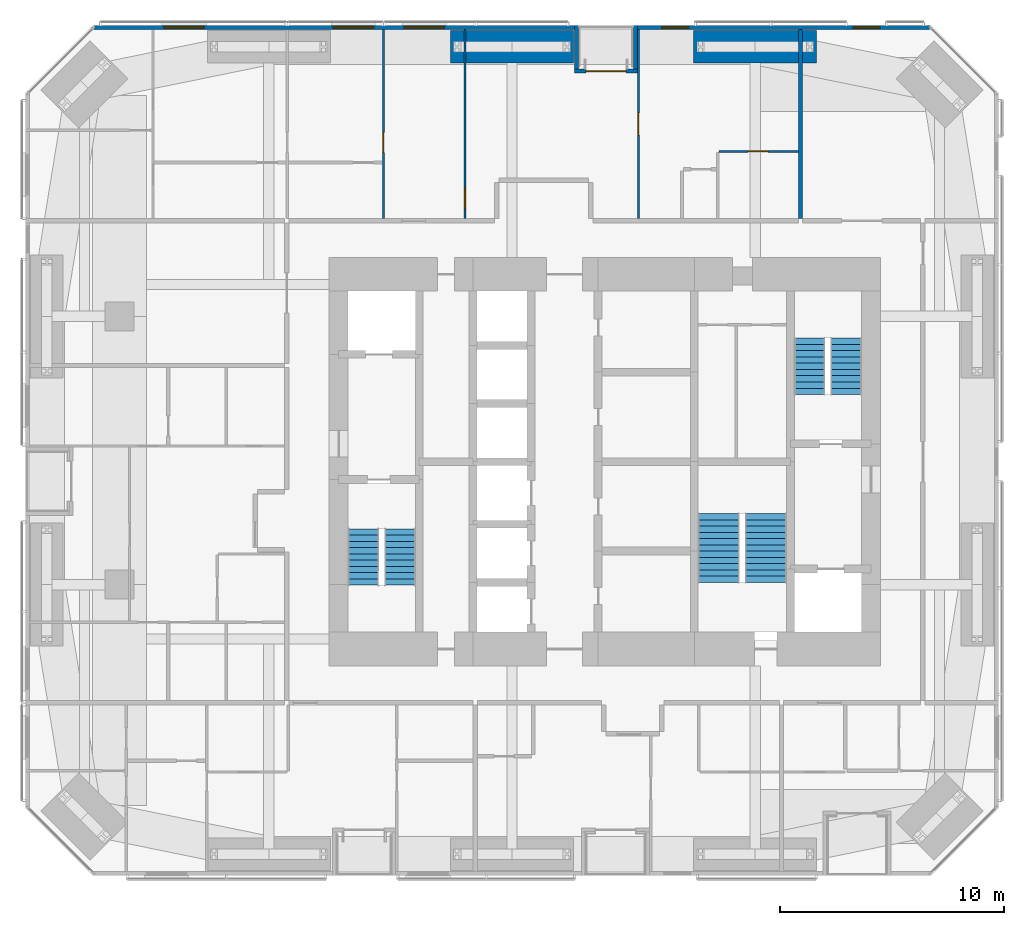
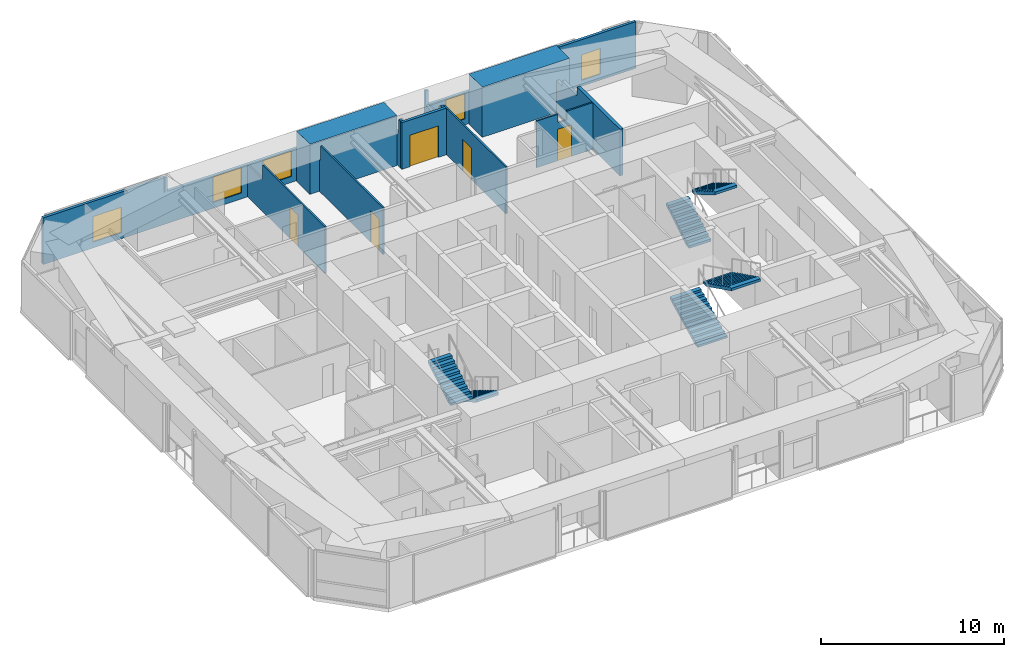
# One storey, part 22 of 23: 12 walls, 6 stair flights, 5 doors, 5 windows, 10 openings, 3 elements without a shape of their own.
"""IFC4 building model written with IfcOpenShell, lengths in metres."""

from ifc_helpers import new_model, si_unit, direction, frame, frame_2d, origin, place, context, subcontext, project, spatial, polyline, rectangle, outline, extrude, material, layer, layer_set, constituent, constituent_set, type_object, element, fill, aggregate, save


model = new_model("IFC4")

# Units and contexts
model_context = context("Model", 3, precision=1e-05, world=origin(), true_north=direction((0.0, 1.0)))
body_context = subcontext(model_context, "Body", "Model", "MODEL_VIEW")
ifc_project = project(units=[si_unit("LENGTHUNIT", "METRE"), si_unit("AREAUNIT", "SQUARE_METRE"), si_unit("VOLUMEUNIT", "CUBIC_METRE"), si_unit("PLANEANGLEUNIT", "RADIAN"), si_unit("MASSUNIT", "GRAM", prefix="KILO")], contexts=[model_context])

# Site, building, storey
site_placement = place(None, origin())
site = spatial("IfcSite", under=ifc_project, at=site_placement, CompositionType="ELEMENT")
building_placement = place(site_placement, origin())
building = spatial("IfcBuilding", under=site, at=building_placement, Name="Jalousie Tower", CompositionType="ELEMENT")
storey_placement = place(building_placement, frame((0.0, 0.0, 104.85009765625)))
storey = spatial("IfcBuildingStorey", under=building, at=storey_placement, Name="L28", CompositionType="ELEMENT", Elevation=104.85009765625)

# Wall, openings, windows
ifc_material_1 = material(Name="Concrete f'c 40 MPa", Category="concrete")
ifc_constituent_1 = constituent(ifc_material_1, Name="Body")
ifc_material_2 = material(Name="Render, pastel sea green")
ifc_constituent_2 = constituent(ifc_material_2, Name="Finish")
ifc_constituent_set_1 = constituent_set(constituents=[ifc_constituent_1, ifc_constituent_2])
wall_type_1 = type_object("IfcWallType", Name="EXTERNAL WALL 175 SEA GREEN RENDER", PredefinedType="SOLIDWALL", material=ifc_constituent_set_1)
wall_1_placement = place(storey_placement, frame((46.44873046875, 37.91259765625, 0.0), z_axis=(0.0, 0.0, 1.0), x_axis=(-1.0, 0.0, 0.0)))
wall_1 = element("IfcWall", 1, at=wall_1_placement, inside=storey, type_object=wall_type_1, Name="External Wall 175 Sea Green Render L28", PredefinedType="SOLIDWALL", context=body_context, shape_type="SweptSolid", body=[
    extrude(outline(polyline([(0.0, 0.0), (13.09814453125, 0.0), (13.09814453125, 2.14990234375), (7.82373046875, 2.14990234375), (7.82373046875, 3.10986328125), (7.66552734375, 3.10986328125), (7.66552734375, 2.14990234375), (7.620361328125, 2.14990234375), (7.620361328125, 3.10986328125), (0.0, 3.10986328125), (0.0, 0.0)])), frame((0.0, 0.08740234375, 0.0), z_axis=(0.0, -1.0, 0.0), x_axis=(1.0, 0.0, 0.0)), (0.0, 0.0, 1.0), 0.175048828125),
])
opening_1_placement = place(wall_1_placement, frame((2.24951171875, 0.0, 0.39990234375)))
opening_1 = element("IfcOpeningElement", 2, at=opening_1_placement, cuts=wall_1, Name="Opening W-COR170", PredefinedType="OPENING", context=body_context, shape_type="SweptSolid", body=[
    extrude(rectangle(XDim=1.199951171875, YDim=1.699951171875, at=frame_2d((0.60009765625, 0.85009765625))), frame((0.0, 0.097412109375, 0.0), z_axis=(0.0, -1.0, 0.0), x_axis=(1.0, 0.0, 0.0)), (0.0, 0.0, 1.0), 0.195068359375),
])
opening_2_placement = place(wall_1_placement, frame((10.798095703125, 0.0, 0.39990234375)))
opening_2 = element("IfcOpeningElement", 3, at=opening_2_placement, cuts=wall_1, Name="Opening W-COR170", PredefinedType="OPENING", context=body_context, shape_type="SweptSolid", body=[
    extrude(rectangle(XDim=1.199951171875, YDim=1.699951171875, at=frame_2d((0.60009765625, 0.85009765625))), frame((0.0, 0.097412109375, 0.0), z_axis=(0.0, -1.0, 0.0), x_axis=(1.0, 0.0, 0.0)), (0.0, 0.0, 1.0), 0.195068359375),
])
ifc_material_3 = material(Name="Aluminium frame, impact-rated glazing", Category="aluminium")
window_type_1 = type_object("IfcWindowType", Name="WINDOW COR 1200x1700", PartitioningType="SINGLE_PANEL", PredefinedType="WINDOW", material=ifc_material_3)
window_1_placement = place(opening_1_placement, origin())
window_1 = element("IfcWindow", 4, at=window_1_placement, inside=storey, type_object=window_type_1, Name="Residents' games room window", OverallHeight=1.699951171875, OverallWidth=1.199951171875, PartitioningType="SINGLE_PANEL", PredefinedType="WINDOW", context=body_context, shape_type="SweptSolid", body=[
    extrude(rectangle(XDim=1.199951171875, YDim=1.699951171875, at=frame_2d((0.60009765625, 0.85009765625))), frame((0.0, 0.030029296875, 0.0), z_axis=(0.0, -1.0, 0.0), x_axis=(1.0, 0.0, 0.0)), (0.0, 0.0, 1.0), 0.06005859375),
])
fill(opening_1, window_1)
window_2_placement = place(opening_2_placement, origin())
window_2 = element("IfcWindow", 5, at=window_2_placement, inside=storey, type_object=window_type_1, Name="Apartment 2804 dining room window", OverallHeight=1.699951171875, OverallWidth=1.199951171875, PartitioningType="SINGLE_PANEL", PredefinedType="WINDOW", context=body_context, shape_type="SweptSolid", body=[
    extrude(rectangle(XDim=1.199951171875, YDim=1.699951171875, at=frame_2d((0.60009765625, 0.85009765625))), frame((0.0, 0.030029296875, 0.0), z_axis=(0.0, -1.0, 0.0), x_axis=(1.0, 0.0, 0.0)), (0.0, 0.0, 1.0), 0.06005859375),
])
fill(opening_2, window_2)

wall_2_placement = place(storey_placement, frame((30.550537109375, 37.91259765625, 0.0), z_axis=(0.0, 0.0, 1.0), x_axis=(-1.0, 0.0, 0.0)))
wall_2 = element("IfcWall", 6, at=wall_2_placement, inside=storey, type_object=wall_type_1, Name="External Wall 175 Sea Green Render L28", PredefinedType="SOLIDWALL", context=body_context, shape_type="SweptSolid", body=[
    extrude(outline(polyline([(0.0, 0.0), (21.499267578125, 0.0), (21.499267578125, 3.10986328125), (13.87890625, 3.10986328125), (13.87890625, 2.14990234375), (13.833740234375, 2.14990234375), (13.833740234375, 3.10986328125), (13.675537109375, 3.10986328125), (13.675537109375, 2.14990234375), (0.0, 2.14990234375), (0.0, 0.0)])), frame((0.0, 0.08740234375, 0.0), z_axis=(0.0, -1.0, 0.0), x_axis=(1.0, 0.0, 0.0)), (0.0, 0.0, 1.0), 0.175048828125),
])
opening_3_placement = place(wall_2_placement, frame((5.82568359375, 0.0, 0.39990234375)))
opening_3 = element("IfcOpeningElement", 7, at=opening_3_placement, cuts=wall_2, Name="Opening W-BED170", PredefinedType="OPENING", context=body_context, shape_type="SweptSolid", body=[
    extrude(rectangle(XDim=1.800048828125, YDim=1.699951171875, at=frame_2d((0.89990234375, 0.85009765625))), frame((0.0, 0.097412109375, 0.0), z_axis=(0.0, -1.0, 0.0), x_axis=(1.0, 0.0, 0.0)), (0.0, 0.0, 1.0), 0.195068359375),
])
opening_4_placement = place(wall_2_placement, frame((8.9931640625, 0.0, 0.39990234375)))
opening_4 = element("IfcOpeningElement", 8, at=opening_4_placement, cuts=wall_2, Name="Opening W-BED170", PredefinedType="OPENING", context=body_context, shape_type="SweptSolid", body=[
    extrude(rectangle(XDim=1.800048828125, YDim=1.699951171875, at=frame_2d((0.89990234375, 0.85009765625))), frame((0.0, 0.097412109375, 0.0), z_axis=(0.0, -1.0, 0.0), x_axis=(1.0, 0.0, 0.0)), (0.0, 0.0, 1.0), 0.195068359375),
])
opening_5_placement = place(wall_2_placement, frame((16.565673828125, 0.0, 0.39990234375)))
opening_5 = element("IfcOpeningElement", 9, at=opening_5_placement, cuts=wall_2, Name="Opening W-BED170", PredefinedType="OPENING", context=body_context, shape_type="SweptSolid", body=[
    extrude(rectangle(XDim=1.800048828125, YDim=1.699951171875, at=frame_2d((0.89990234375, 0.85009765625))), frame((0.0, 0.097412109375, 0.0), z_axis=(0.0, -1.0, 0.0), x_axis=(1.0, 0.0, 0.0)), (0.0, 0.0, 1.0), 0.195068359375),
])
ifc_material_4 = material(Name="Aluminium frame, impact-rated glazing", Category="aluminium")
window_type_2 = type_object("IfcWindowType", Name="WINDOW BED 1800x1700", PartitioningType="SINGLE_PANEL", PredefinedType="WINDOW", material=ifc_material_4)
window_3_placement = place(opening_3_placement, origin())
window_3 = element("IfcWindow", 10, at=window_3_placement, inside=storey, type_object=window_type_2, Name="Apartment 2804 study window", OverallHeight=1.699951171875, OverallWidth=1.800048828125, PartitioningType="SINGLE_PANEL", PredefinedType="WINDOW", context=body_context, shape_type="SweptSolid", body=[
    extrude(rectangle(XDim=1.800048828125, YDim=1.699951171875, at=frame_2d((0.89990234375, 0.85009765625))), frame((0.0, 0.030029296875, 0.0), z_axis=(0.0, -1.0, 0.0), x_axis=(1.0, 0.0, 0.0)), (0.0, 0.0, 1.0), 0.06005859375),
])
fill(opening_3, window_3)
window_4_placement = place(opening_4_placement, origin())
window_4 = element("IfcWindow", 11, at=window_4_placement, inside=storey, type_object=window_type_2, Name="Apartment 2804 bedroom 3 window", OverallHeight=1.699951171875, OverallWidth=1.800048828125, PartitioningType="SINGLE_PANEL", PredefinedType="WINDOW", context=body_context, shape_type="SweptSolid", body=[
    extrude(rectangle(XDim=1.800048828125, YDim=1.699951171875, at=frame_2d((0.89990234375, 0.85009765625))), frame((0.0, 0.030029296875, 0.0), z_axis=(0.0, -1.0, 0.0), x_axis=(1.0, 0.0, 0.0)), (0.0, 0.0, 1.0), 0.06005859375),
])
fill(opening_4, window_4)
window_5_placement = place(opening_5_placement, origin())
window_5 = element("IfcWindow", 12, at=window_5_placement, inside=storey, type_object=window_type_2, Name="Apartment 2804 bedroom 2 window", OverallHeight=1.699951171875, OverallWidth=1.800048828125, PartitioningType="SINGLE_PANEL", PredefinedType="WINDOW", context=body_context, shape_type="SweptSolid", body=[
    extrude(rectangle(XDim=1.800048828125, YDim=1.699951171875, at=frame_2d((0.89990234375, 0.85009765625))), frame((0.0, 0.030029296875, 0.0), z_axis=(0.0, -1.0, 0.0), x_axis=(1.0, 0.0, 0.0)), (0.0, 0.0, 1.0), 0.06005859375),
])
fill(opening_5, window_5)

# Wall, opening, door
wall_3_placement = place(storey_placement, frame((33.3505859375, 35.96240234375, 0.0), z_axis=(0.0, 0.0, 1.0), x_axis=(-1.0, 0.0, 0.0)))
wall_3 = element("IfcWall", 13, at=wall_3_placement, inside=storey, type_object=wall_type_1, Name="External Wall 175 Sea Green Render L28", PredefinedType="SOLIDWALL", context=body_context, shape_type="SweptSolid", body=[
    extrude(rectangle(XDim=2.800048828125, YDim=0.175048828125, at=frame_2d((1.39990234375, 0.0))), origin(), (0.0, 0.0, 1.0), 3.10986328125),
])
opening_6_placement = place(wall_3_placement, frame((0.5, 0.0, 0.0)))
opening_6 = element("IfcOpeningElement", 14, at=opening_6_placement, cuts=wall_3, Name="Opening D-BAL21", PredefinedType="OPENING", context=body_context, shape_type="SweptSolid", body=[
    extrude(rectangle(XDim=1.800048828125, YDim=2.10009765625, at=frame_2d((0.89990234375, 1.050048828125))), frame((0.0, 0.097412109375, 0.0), z_axis=(0.0, -1.0, 0.0), x_axis=(1.0, 0.0, 0.0)), (0.0, 0.0, 1.0), 0.195068359375),
])
ifc_material_5 = material(Name="Aluminium frame, impact-rated glazing", Category="aluminium")
door_type_1 = type_object("IfcDoorType", Name="BALCONY DOOR 1800x2100", OperationType="SLIDING_TO_LEFT", PredefinedType="DOOR", material=ifc_material_5)
door_1_placement = place(opening_6_placement, origin())
door_1 = element("IfcDoor", 15, at=door_1_placement, inside=storey, type_object=door_type_1, Name="Apartment 2804 living room loggia door", OperationType="SLIDING_TO_LEFT", OverallHeight=2.10009765625, OverallWidth=1.800048828125, PredefinedType="DOOR", context=body_context, shape_type="SweptSolid", body=[
    extrude(rectangle(XDim=1.800048828125, YDim=2.10009765625, at=frame_2d((0.89990234375, 1.050048828125))), frame((0.0, 0.02490234375, 0.0), z_axis=(0.0, -1.0, 0.0), x_axis=(1.0, 0.0, 0.0)), (0.0, 0.0, 1.0), 0.050048828125),
])
fill(opening_6, door_1)

# Walls
for number, where, z_axis, x_axis, name in (
    (16, (33.26318359375, 38.0, 0.0), (0.0, 0.0, 1.0), (0.0, -1.0, 0.0), "External Wall 175 Sea Green Render L28"),
    (17, (30.63818359375, 38.0, 0.0), (0.0, 0.0, 1.0), (0.0, -1.0, 0.0), "External Wall 175 Sea Green Render L28"),
):
    element("IfcWall", number, at=place(storey_placement, frame(where, z_axis=z_axis, x_axis=x_axis)), inside=storey, type_object=wall_type_1, Name=name, PredefinedType="SOLIDWALL", context=body_context, shape_type="SweptSolid", body=[
        extrude(outline(polyline([(0.0, 0.0), (1.949951171875, 0.0), (1.949951171875, 3.10986328125), (1.75, 3.10986328125), (1.75, 2.14990234375), (0.14990234375, 2.14990234375), (0.14990234375, 3.10986328125), (0.0, 3.10986328125), (0.0, 0.0)])), frame((0.0, 0.08740234375, 0.0), z_axis=(0.0, -1.0, 0.0), x_axis=(1.0, 0.0, 0.0)), (0.0, 0.0, 1.0), 0.175048828125),
    ])

# Wall, opening, door
ifc_material_6 = material(Name="Gypsum board", Category="gypsum")
ifc_constituent_3 = constituent(ifc_material_6, Name="Body")
ifc_material_7 = material(Name="Light-gauge steel studs ASTM A653 SS Grade 33", Category="steel")
ifc_constituent_4 = constituent(ifc_material_7, Name="Framing")
ifc_constituent_set_2 = constituent_set(constituents=[ifc_constituent_3, ifc_constituent_4])
wall_type_2 = type_object("IfcWallType", Name="PARTITION 100", PredefinedType="PARTITIONING", material=ifc_constituent_set_2)
wall_4_placement = place(storey_placement, frame((22.0, 37.824951171875, 0.0), z_axis=(0.0, 0.0, 1.0), x_axis=(0.0, -1.0, 0.0)))
wall_4 = element("IfcWall", 18, at=wall_4_placement, inside=storey, type_object=wall_type_2, Name="Partition 100 L28", PredefinedType="PARTITIONING", context=body_context, shape_type="SweptSolid", body=[
    extrude(outline(polyline([(0.0, 0.0), (8.449951171875, 0.0), (8.449951171875, 3.10986328125), (1.635009765625, 3.10986328125), (1.635009765625, 2.14990234375), (0.0, 2.14990234375), (0.0, 3.10986328125), (0.0, 0.0)])), frame((0.0, 0.050048828125, 0.0), z_axis=(0.0, -1.0, 0.0), x_axis=(1.0, 0.0, 0.0)), (0.0, 0.0, 1.0), 0.10009765625),
])
opening_7_placement = place(wall_4_placement, frame((4.60009765625, 0.0, 0.0)))
opening_7 = element("IfcOpeningElement", 19, at=opening_7_placement, cuts=wall_4, Name="Opening D2", PredefinedType="OPENING", context=body_context, shape_type="SweptSolid", body=[
    extrude(rectangle(XDim=0.89990234375, YDim=2.10009765625, at=frame_2d((0.449951171875, 1.050048828125))), frame((0.0, 0.06005859375, 0.0), z_axis=(0.0, -1.0, 0.0), x_axis=(1.0, 0.0, 0.0)), (0.0, 0.0, 1.0), 0.1201171875),
])
ifc_material_8 = material(Name="Timber door", Category="wood")
door_type_2 = type_object("IfcDoorType", Name="BEDROOM DOOR 900", OperationType="SINGLE_SWING_LEFT", PredefinedType="DOOR", material=ifc_material_8)
door_2_placement = place(opening_7_placement, frame((0.89990234375, 0.0, 0.0), z_axis=(0.0, 0.0, 1.0), x_axis=(-1.0, 0.0, 0.0)))
door_2 = element("IfcDoor", 20, at=door_2_placement, inside=storey, type_object=door_type_2, Name="Apartment 2804 bedroom 3 door", OperationType="SINGLE_SWING_LEFT", OverallHeight=2.10009765625, OverallWidth=0.89990234375, PredefinedType="DOOR", context=body_context, shape_type="SweptSolid", body=[
    extrude(rectangle(XDim=0.89990234375, YDim=2.10009765625, at=frame_2d((0.449951171875, 1.050048828125))), frame((0.0, 0.02490234375, 0.0), z_axis=(0.0, -1.0, 0.0), x_axis=(1.0, 0.0, 0.0)), (0.0, 0.0, 1.0), 0.050048828125),
])
fill(opening_7, door_2)

wall_5_placement = place(storey_placement, frame((25.64990234375, 37.824951171875, 0.0), z_axis=(0.0, 0.0, 1.0), x_axis=(0.0, -1.0, 0.0)))
wall_5 = element("IfcWall", 21, at=wall_5_placement, inside=storey, type_object=wall_type_2, Name="Partition 100 L28", PredefinedType="PARTITIONING", context=body_context, shape_type="SweptSolid", body=[
    extrude(outline(polyline([(0.52880859375, 2.14990234375), (0.0, 2.14990234375), (0.0, 0.0), (0.52880859375, 0.0), (0.52880859375, 0.0341796875), (1.021240234375, 0.0341796875), (1.021240234375, 0.0), (8.449951171875, 0.0), (8.449951171875, 3.10986328125), (1.635009765625, 3.10986328125), (1.635009765625, 2.14990234375), (1.021240234375, 2.14990234375), (1.021240234375, 2.11572265625), (0.52880859375, 2.11572265625), (0.52880859375, 2.14990234375)])), frame((0.0, 0.050048828125, 0.0), z_axis=(0.0, -1.0, 0.0), x_axis=(1.0, 0.0, 0.0)), (0.0, 0.0, 1.0), 0.10009765625),
])
opening_8_placement = place(wall_5_placement, frame((7.10009765625, 0.0, 0.0)))
opening_8 = element("IfcOpeningElement", 22, at=opening_8_placement, cuts=wall_5, Name="Opening D2", PredefinedType="OPENING", context=body_context, shape_type="SweptSolid", body=[
    extrude(rectangle(XDim=0.89990234375, YDim=2.10009765625, at=frame_2d((0.449951171875, 1.050048828125))), frame((0.0, 0.06005859375, 0.0), z_axis=(0.0, -1.0, 0.0), x_axis=(1.0, 0.0, 0.0)), (0.0, 0.0, 1.0), 0.1201171875),
])
door_3_placement = place(opening_8_placement, frame((0.89990234375, 0.0, 0.0), z_axis=(0.0, 0.0, 1.0), x_axis=(-1.0, 0.0, 0.0)))
door_3 = element("IfcDoor", 23, at=door_3_placement, inside=storey, type_object=door_type_2, Name="Apartment 2804 study door", OperationType="SINGLE_SWING_LEFT", OverallHeight=2.10009765625, OverallWidth=0.89990234375, PredefinedType="DOOR", context=body_context, shape_type="SweptSolid", body=[
    extrude(rectangle(XDim=0.89990234375, YDim=2.10009765625, at=frame_2d((0.449951171875, 1.050048828125))), frame((0.0, 0.02490234375, 0.0), z_axis=(0.0, -1.0, 0.0), x_axis=(1.0, 0.0, 0.0)), (0.0, 0.0, 1.0), 0.050048828125),
])
fill(opening_8, door_3)

wall_6_placement = place(storey_placement, frame((37.0, 32.375, 0.0), z_axis=(0.0, 0.0, 1.0), x_axis=(1.0, 0.0, 0.0)))
wall_6 = element("IfcWall", 24, at=wall_6_placement, inside=storey, type_object=wall_type_2, Name="Partition 100 L28", PredefinedType="PARTITIONING", context=body_context, shape_type="SweptSolid", body=[
    extrude(outline(polyline([(0.0, 0.0), (3.550048828125, 0.0), (3.550048828125, 3.10986328125), (1.912353515625, 3.10986328125), (1.912353515625, 2.541015625), (1.337646484375, 2.541015625), (1.337646484375, 3.10986328125), (0.0, 3.10986328125), (0.0, 0.0)])), frame((0.0, 0.050048828125, 0.0), z_axis=(0.0, -1.0, 0.0), x_axis=(1.0, 0.0, 0.0)), (0.0, 0.0, 1.0), 0.10009765625),
])
opening_9_placement = place(wall_6_placement, frame((1.300048828125, 0.0, 0.0)))
opening_9 = element("IfcOpeningElement", 25, at=opening_9_placement, cuts=wall_6, Name="Opening D7", PredefinedType="OPENING", context=body_context, shape_type="SweptSolid", body=[
    extrude(rectangle(XDim=0.89990234375, YDim=2.10009765625, at=frame_2d((0.449951171875, 1.050048828125))), frame((0.0, 0.06005859375, 0.0), z_axis=(0.0, -1.0, 0.0), x_axis=(1.0, 0.0, 0.0)), (0.0, 0.0, 1.0), 0.1201171875),
])
ifc_material_9 = material(Name="Timber door", Category="wood")
door_type_3 = type_object("IfcDoorType", Name="INTERNAL DOOR 900", OperationType="SINGLE_SWING_LEFT", PredefinedType="DOOR", material=ifc_material_9)
door_4_placement = place(opening_9_placement, origin())
door_4 = element("IfcDoor", 26, at=door_4_placement, inside=storey, type_object=door_type_3, Name="Apartment 2804 kitchen door", OperationType="SINGLE_SWING_RIGHT", OverallHeight=2.10009765625, OverallWidth=0.89990234375, PredefinedType="DOOR", context=body_context, shape_type="SweptSolid", body=[
    extrude(rectangle(XDim=0.89990234375, YDim=2.10009765625, at=frame_2d((0.449951171875, 1.050048828125))), frame((0.0, 0.02490234375, 0.0), z_axis=(0.0, -1.0, 0.0), x_axis=(1.0, 0.0, 0.0)), (0.0, 0.0, 1.0), 0.050048828125),
])
fill(opening_9, door_4)

wall_7_placement = place(storey_placement, frame((33.400634765625, 37.824951171875, 0.0), z_axis=(0.0, 0.0, 1.0), x_axis=(0.0, -1.0, 0.0)))
wall_7 = element("IfcWall", 27, at=wall_7_placement, inside=storey, type_object=wall_type_2, Name="Partition 100 L28", PredefinedType="PARTITIONING", context=body_context, shape_type="SweptSolid", body=[
    extrude(outline(polyline([(0.0, 0.0), (8.449951171875, 0.0), (8.449951171875, 3.10986328125), (1.635009765625, 3.10986328125), (1.635009765625, 2.14990234375), (0.0, 2.14990234375), (0.0, 3.10986328125), (0.0, 0.0)])), frame((0.0, 0.050048828125, 0.0), z_axis=(0.0, -1.0, 0.0), x_axis=(1.0, 0.0, 0.0)), (0.0, 0.0, 1.0), 0.10009765625),
])
opening_10_placement = place(wall_7_placement, frame((3.72509765625, 0.0, 0.0)))
opening_10 = element("IfcOpeningElement", 28, at=opening_10_placement, cuts=wall_7, Name="Opening D6", PredefinedType="OPENING", context=body_context, shape_type="SweptSolid", body=[
    extrude(rectangle(XDim=1.0, YDim=2.10009765625, at=frame_2d((0.5, 1.050048828125))), frame((0.0, 0.06005859375, 0.0), z_axis=(0.0, -1.0, 0.0), x_axis=(1.0, 0.0, 0.0)), (0.0, 0.0, 1.0), 0.1201171875),
])
ifc_material_10 = material(Name="Timber door", Category="wood")
door_type_4 = type_object("IfcDoorType", Name="INTERNAL DOOR 1000", OperationType="SINGLE_SWING_LEFT", PredefinedType="DOOR", material=ifc_material_10)
door_5_placement = place(opening_10_placement, origin())
door_5 = element("IfcDoor", 29, at=door_5_placement, inside=storey, type_object=door_type_4, Name="Apartment 2804 dining room door", OperationType="SINGLE_SWING_LEFT", OverallHeight=2.10009765625, OverallWidth=1.0, PredefinedType="DOOR", context=body_context, shape_type="SweptSolid", body=[
    extrude(rectangle(XDim=1.0, YDim=2.10009765625, at=frame_2d((0.5, 1.050048828125))), frame((0.0, 0.02490234375, 0.0), z_axis=(0.0, -1.0, 0.0), x_axis=(1.0, 0.0, 0.0)), (0.0, 0.0, 1.0), 0.050048828125),
])
fill(opening_10, door_5)

# Walls
ifc_material_11 = material(Name="Concrete block ASTM C90", Category="concrete")
ifc_constituent_5 = constituent(ifc_material_11, Name="Body")
ifc_material_12 = material(Name="Render")
ifc_constituent_6 = constituent(ifc_material_12, Name="Finish")
ifc_constituent_set_3 = constituent_set(constituents=[ifc_constituent_5, ifc_constituent_6])
wall_type_3 = type_object("IfcWallType", Name="PARTY WALL 200", PredefinedType="PARTITIONING", material=ifc_constituent_set_3)
wall_8_placement = place(storey_placement, frame((40.64990234375, 37.824951171875, 0.0), z_axis=(0.0, 0.0, 1.0), x_axis=(0.0, -1.0, 0.0)))
element("IfcWall", 30, at=wall_8_placement, inside=storey, type_object=wall_type_3, Name="Party Wall 200 L28", PredefinedType="PARTITIONING", context=body_context, shape_type="SweptSolid", body=[
    extrude(outline(polyline([(0.25927734375, 3.10986328125), (0.0, 3.10986328125), (0.0, 0.0), (0.52880859375, 0.0), (0.52880859375, 0.11962890625), (1.021240234375, 0.11962890625), (1.021240234375, 0.0), (8.449951171875, 0.0), (8.449951171875, 3.10986328125), (3.766357421875, 3.10986328125), (3.766357421875, 2.510009765625), (2.11669921875, 2.510009765625), (2.11669921875, 2.14990234375), (1.021240234375, 2.14990234375), (1.021240234375, 2.0302734375), (0.52880859375, 2.0302734375), (0.52880859375, 2.14990234375), (0.25927734375, 2.14990234375), (0.25927734375, 3.10986328125)])), frame((0.0, 0.10009765625, 0.0), z_axis=(0.0, -1.0, 0.0), x_axis=(1.0, 0.0, 0.0)), (0.0, 0.0, 1.0), 0.199951171875),
])
ifc_material_13 = material(Name="Concrete f'c 120 MPa", Category="concrete")
ifc_layer = layer(ifc_material_13, 1.449951171875)
ifc_layer_set = layer_set([ifc_layer], Name="Concrete f'c 120 MPa")
wall_type_4 = type_object("IfcWallType", Name="RC WALL PIER 1450", PredefinedType="SHEAR", material=ifc_layer_set)
for number, where, z_axis, x_axis, name in (
    (31, (35.875, 37.050048828125, 0.0), (0.0, 0.0, 1.0), (1.0, 0.0, 0.0), "Wall pier 09 L28"),
    (32, (25.0, 37.050048828125, 0.0), (0.0, 0.0, 1.0), (1.0, 0.0, 0.0), "Wall pier 10 L28"),
):
    element("IfcWall", number, at=place(storey_placement, frame(where, z_axis=z_axis, x_axis=x_axis)), inside=storey, type_object=wall_type_4, Name=name, PredefinedType="SHEAR", context=body_context, shape_type="SweptSolid", body=[
        extrude(rectangle(XDim=5.5, YDim=1.449951171875, at=frame_2d((2.75, 0.0))), origin(), (0.0, 0.0, 1.0), 3.349853515625),
    ])

# Stair, stair flights
ifc_material_14 = material(Name="Concrete f'c 40 MPa", Category="concrete")
stair_type = type_object("IfcStairType", Name="EXIT STAIR", PredefinedType="HALF_TURN_STAIR", material=ifc_material_14)
stair_1_placement = place(storey_placement, origin())
stair_1 = element("IfcStair", 33, at=stair_1_placement, inside=storey, type_object=stair_type, Name="Exit stair A L28", PredefinedType="HALF_TURN_STAIR")
ifc_material_15 = material(Name="Concrete f'c 40 MPa", Category="concrete")
stair_flight_type = type_object("IfcStairFlightType", Name="STAIR FLIGHT", PredefinedType="STRAIGHT", material=ifc_material_15)
stair_flight_1_placement = place(storey_placement, frame((22.737548828125, 15.49755859375, 0.0), z_axis=(0.0, 0.0, 1.0), x_axis=(0.0, -1.0, 0.0)))
stair_flight_1 = element("IfcStairFlight", 34, at=stair_flight_1_placement, type_object=stair_flight_type, Name="ST-A flight 1", NumberOfRisers=10, NumberOfTreads=9, PredefinedType="STRAIGHT", RiserHeight=0.1675, TreadLength=0.28, context=body_context, shape_type="SweptSolid", body=[
    extrude(outline(polyline([(0.0, 0.0), (0.0, 0.16748046875), (0.280029296875, 0.16748046875), (0.280029296875, 0.3349609375), (0.56005859375, 0.3349609375), (0.56005859375, 0.50244140625), (0.840087890625, 0.50244140625), (0.840087890625, 0.669921875), (1.1201171875, 0.669921875), (1.1201171875, 0.83740234375), (1.39990234375, 0.83740234375), (1.39990234375, 1.0048828125), (1.679931640625, 1.0048828125), (1.679931640625, 1.172607421875), (1.9599609375, 1.172607421875), (1.9599609375, 1.340087890625), (2.239990234375, 1.340087890625), (2.239990234375, 1.507568359375), (2.52001953125, 1.507568359375), (2.52001953125, 1.675048828125), (2.52001953125, 1.332763671875), (0.2919921875, 0.0), (0.0, 0.0)])), frame((0.0, 0.6875, 0.0), z_axis=(0.0, -1.0, 0.0), x_axis=(1.0, 0.0, 0.0)), (0.0, 0.0, 1.0), 1.375),
])
stair_flight_2_placement = place(storey_placement, frame((21.112548828125, 12.9775390625, 1.6748046875), z_axis=(0.0, 0.0, 1.0), x_axis=(0.0, 1.0, 0.0)))
stair_flight_2 = element("IfcStairFlight", 35, at=stair_flight_2_placement, type_object=stair_flight_type, Name="ST-A flight 2", NumberOfRisers=10, NumberOfTreads=9, PredefinedType="STRAIGHT", RiserHeight=0.1675, TreadLength=0.28, context=body_context, shape_type="SweptSolid", body=[
    extrude(outline(polyline([(0.0, 0.0), (0.0, 0.16748046875), (0.280029296875, 0.16748046875), (0.280029296875, 0.3349609375), (0.56005859375, 0.3349609375), (0.56005859375, 0.50244140625), (0.840087890625, 0.50244140625), (0.840087890625, 0.669921875), (1.1201171875, 0.669921875), (1.1201171875, 0.83740234375), (1.39990234375, 0.83740234375), (1.39990234375, 1.0048828125), (1.679931640625, 1.0048828125), (1.679931640625, 1.172607421875), (1.9599609375, 1.172607421875), (1.9599609375, 1.340087890625), (2.239990234375, 1.340087890625), (2.239990234375, 1.507568359375), (2.52001953125, 1.507568359375), (2.52001953125, 1.675048828125), (2.52001953125, 1.332763671875), (0.2919921875, 0.0), (0.0, 0.0)])), frame((0.0, 0.6875, 0.0), z_axis=(0.0, -1.0, 0.0), x_axis=(1.0, 0.0, 0.0)), (0.0, 0.0, 1.0), 1.375),
])
aggregate(stair_1, [stair_flight_1, stair_flight_2])

stair_2_placement = place(storey_placement, origin())
stair_2 = element("IfcStair", 36, at=stair_2_placement, inside=storey, type_object=stair_type, Name="Exit stair B L28", PredefinedType="HALF_TURN_STAIR")
stair_flight_3_placement = place(storey_placement, frame((41.0625, 21.50244140625, 0.0), z_axis=(0.0, 0.0, 1.0), x_axis=(0.0, 1.0, 0.0)))
stair_flight_3 = element("IfcStairFlight", 37, at=stair_flight_3_placement, type_object=stair_flight_type, Name="ST-B flight 1", NumberOfRisers=10, NumberOfTreads=9, PredefinedType="STRAIGHT", RiserHeight=0.1675, TreadLength=0.28, context=body_context, shape_type="SweptSolid", body=[
    extrude(outline(polyline([(0.0, 0.0), (0.0, 0.16748046875), (0.280029296875, 0.16748046875), (0.280029296875, 0.3349609375), (0.56005859375, 0.3349609375), (0.56005859375, 0.50244140625), (0.840087890625, 0.50244140625), (0.840087890625, 0.669921875), (1.1201171875, 0.669921875), (1.1201171875, 0.83740234375), (1.39990234375, 0.83740234375), (1.39990234375, 1.0048828125), (1.679931640625, 1.0048828125), (1.679931640625, 1.172607421875), (1.9599609375, 1.172607421875), (1.9599609375, 1.340087890625), (2.239990234375, 1.340087890625), (2.239990234375, 1.507568359375), (2.52001953125, 1.507568359375), (2.52001953125, 1.675048828125), (2.52001953125, 1.332763671875), (0.2919921875, 0.0), (0.0, 0.0)])), frame((0.0, 0.6875, 0.0), z_axis=(0.0, -1.0, 0.0), x_axis=(1.0, 0.0, 0.0)), (0.0, 0.0, 1.0), 1.375),
])
stair_flight_4_placement = place(storey_placement, frame((42.6875, 24.0224609375, 1.6748046875), z_axis=(0.0, 0.0, 1.0), x_axis=(0.0, -1.0, 0.0)))
stair_flight_4 = element("IfcStairFlight", 38, at=stair_flight_4_placement, type_object=stair_flight_type, Name="ST-B flight 2", NumberOfRisers=10, NumberOfTreads=9, PredefinedType="STRAIGHT", RiserHeight=0.1675, TreadLength=0.28, context=body_context, shape_type="SweptSolid", body=[
    extrude(outline(polyline([(0.0, 0.0), (0.0, 0.16748046875), (0.280029296875, 0.16748046875), (0.280029296875, 0.3349609375), (0.56005859375, 0.3349609375), (0.56005859375, 0.50244140625), (0.840087890625, 0.50244140625), (0.840087890625, 0.669921875), (1.1201171875, 0.669921875), (1.1201171875, 0.83740234375), (1.39990234375, 0.83740234375), (1.39990234375, 1.0048828125), (1.679931640625, 1.0048828125), (1.679931640625, 1.172607421875), (1.9599609375, 1.172607421875), (1.9599609375, 1.340087890625), (2.239990234375, 1.340087890625), (2.239990234375, 1.507568359375), (2.52001953125, 1.507568359375), (2.52001953125, 1.675048828125), (2.52001953125, 1.332763671875), (0.2919921875, 0.0), (0.0, 0.0)])), frame((0.0, 0.6875, 0.0), z_axis=(0.0, -1.0, 0.0), x_axis=(1.0, 0.0, 0.0)), (0.0, 0.0, 1.0), 1.375),
])
aggregate(stair_2, [stair_flight_3, stair_flight_4])

stair_3_placement = place(storey_placement, origin())
stair_3 = element("IfcStair", 39, at=stair_3_placement, inside=storey, type_object=stair_type, Name="Exit stair C L28", PredefinedType="HALF_TURN_STAIR")
stair_flight_5_placement = place(storey_placement, frame((37.0, 13.097412109375, 0.0), z_axis=(0.0, 0.0, 1.0), x_axis=(0.0, 1.0, 0.0)))
stair_flight_5 = element("IfcStairFlight", 40, at=stair_flight_5_placement, type_object=stair_flight_type, Name="ST-C flight 1", NumberOfRisers=12, NumberOfTreads=11, PredefinedType="STRAIGHT", RiserHeight=0.139583333, TreadLength=0.28, context=body_context, shape_type="SweptSolid", body=[
    extrude(outline(polyline([(0.0, 0.0), (0.0, 0.1396484375), (0.280029296875, 0.1396484375), (0.280029296875, 0.279052734375), (0.56005859375, 0.279052734375), (0.56005859375, 0.418701171875), (0.840087890625, 0.418701171875), (0.840087890625, 0.558349609375), (1.1201171875, 0.558349609375), (1.1201171875, 0.697998046875), (1.39990234375, 0.697998046875), (1.39990234375, 0.83740234375), (1.679931640625, 0.83740234375), (1.679931640625, 0.97705078125), (1.9599609375, 0.97705078125), (1.9599609375, 1.11669921875), (2.239990234375, 1.11669921875), (2.239990234375, 1.25634765625), (2.52001953125, 1.25634765625), (2.52001953125, 1.395751953125), (2.800048828125, 1.395751953125), (2.800048828125, 1.535400390625), (3.080078125, 1.535400390625), (3.080078125, 1.675048828125), (3.080078125, 1.367919921875), (0.3359375, 0.0), (0.0, 0.0)])), frame((0.0, 0.925048828125, 0.0), z_axis=(0.0, -1.0, 0.0), x_axis=(1.0, 0.0, 0.0)), (0.0, 0.0, 1.0), 1.85009765625),
])
stair_flight_6_placement = place(storey_placement, frame((39.10009765625, 16.177490234375, 1.6748046875), z_axis=(0.0, 0.0, 1.0), x_axis=(0.0, -1.0, 0.0)))
stair_flight_6 = element("IfcStairFlight", 41, at=stair_flight_6_placement, type_object=stair_flight_type, Name="ST-C flight 2", NumberOfRisers=12, NumberOfTreads=11, PredefinedType="STRAIGHT", RiserHeight=0.139583333, TreadLength=0.28, context=body_context, shape_type="SweptSolid", body=[
    extrude(outline(polyline([(0.0, 0.0), (0.0, 0.1396484375), (0.280029296875, 0.1396484375), (0.280029296875, 0.279052734375), (0.56005859375, 0.279052734375), (0.56005859375, 0.418701171875), (0.840087890625, 0.418701171875), (0.840087890625, 0.558349609375), (1.1201171875, 0.558349609375), (1.1201171875, 0.697998046875), (1.39990234375, 0.697998046875), (1.39990234375, 0.83740234375), (1.679931640625, 0.83740234375), (1.679931640625, 0.97705078125), (1.9599609375, 0.97705078125), (1.9599609375, 1.11669921875), (2.239990234375, 1.11669921875), (2.239990234375, 1.25634765625), (2.52001953125, 1.25634765625), (2.52001953125, 1.395751953125), (2.800048828125, 1.395751953125), (2.800048828125, 1.535400390625), (3.080078125, 1.535400390625), (3.080078125, 1.675048828125), (3.080078125, 1.367919921875), (0.3359375, 0.0), (0.0, 0.0)])), frame((0.0, 0.925048828125, 0.0), z_axis=(0.0, -1.0, 0.0), x_axis=(1.0, 0.0, 0.0)), (0.0, 0.0, 1.0), 1.85009765625),
])
aggregate(stair_3, [stair_flight_5, stair_flight_6])

save(model, "model.ifc")
